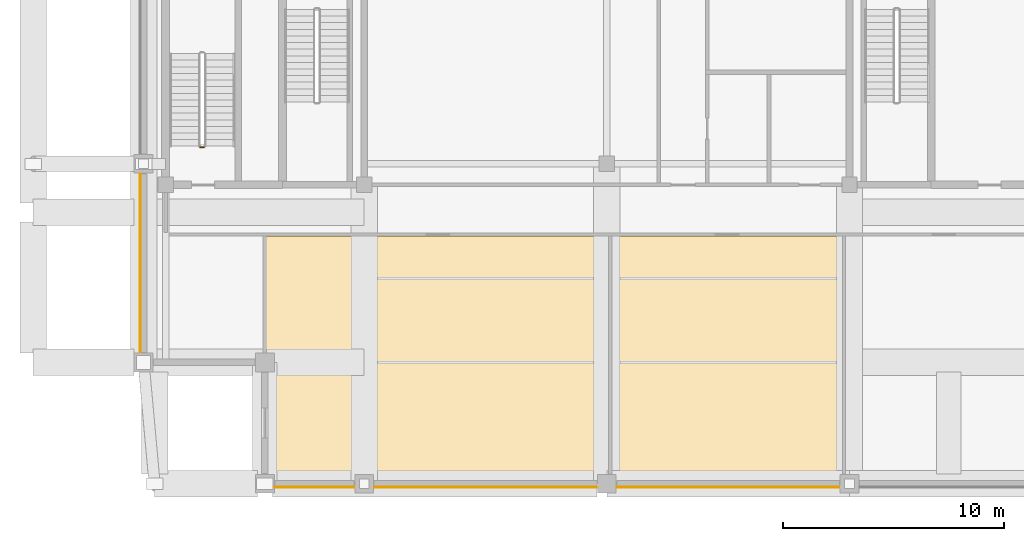
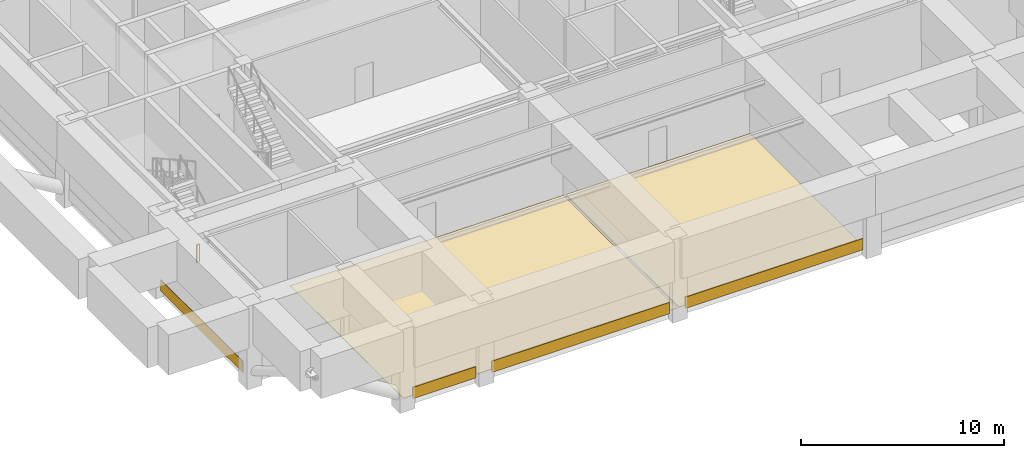
# One storey, part 6 of 11: 6 coverings, 1 railing.
"""IFC4 building model written with IfcOpenShell, lengths in metres."""

from ifc_helpers import new_model, si_unit, direction, frame, frame_2d, origin, origin_2d, place, context, subcontext, project, spatial, polyline, rectangle, outline, extrude, material, layer, layer_set, type_object, element, save


model = new_model("IFC4")

# Units and contexts
model_context = context("Model", 3, precision=1e-05, world=origin(), true_north=direction((0.0, 1.0)))
body_context = subcontext(model_context, "Body", "Model", "MODEL_VIEW")
ifc_project = project(units=[si_unit("LENGTHUNIT", "METRE"), si_unit("AREAUNIT", "SQUARE_METRE"), si_unit("VOLUMEUNIT", "CUBIC_METRE"), si_unit("PLANEANGLEUNIT", "RADIAN"), si_unit("MASSUNIT", "GRAM", prefix="KILO")], contexts=[model_context])

# Site, building, storey
site_placement = place(None, origin())
site = spatial("IfcSite", under=ifc_project, at=site_placement, CompositionType="ELEMENT")
building_placement = place(site_placement, origin())
building = spatial("IfcBuilding", under=site, at=building_placement, Name="Zulmaris Gate Convention Tower", CompositionType="ELEMENT")
storey_placement = place(building_placement, frame((0.0, 0.0, 249.429931640625)))
storey = spatial("IfcBuildingStorey", under=building, at=storey_placement, Name="L66", CompositionType="ELEMENT", Elevation=249.429931640625)

# Coverings
ifc_material_1 = material(Name="Precast concrete C40/50", Category="concrete")
ifc_layer_1 = layer(ifc_material_1, 0.0400390625, Name="Precast concrete C40/50")
ifc_layer_set_1 = layer_set([ifc_layer_1], Name="Precast concrete C40/50")
covering_type_1 = type_object("IfcCoveringType", Name="CLAD-SPANDREL-PRECAST", PredefinedType="CLADDING", material=ifc_layer_set_1)
covering_1_placement = place(storey_placement, frame((-15.044921875, -23.64990234375, 0.0), z_axis=(0.0, 0.0, 1.0), x_axis=(1.0, 0.0, 0.0)))
element("IfcCovering", 1, at=covering_1_placement, inside=storey, type_object=covering_type_1, Name="CLD-L66-S-0_0", PredefinedType="CLADDING", context=body_context, shape_type="SweptSolid", body=[
    extrude(rectangle(XDim=3.58984375, YDim=0.0400390625, at=frame_2d((1.794921875, 0.0))), origin(), (0.0, 0.0, 1.0), 0.679931640625),
])
for number, where, z_axis, x_axis, name in (
    (2, (-10.544921875, -23.64990234375, 0.0), (0.0, 0.0, 1.0), (1.0, 0.0, 0.0), "CLD-L66-S-1_0"),
    (3, (0.455078125, -23.64990234375, 0.0), (0.0, 0.0, 1.0), (1.0, 0.0, 0.0), "CLD-L66-S-2_0"),
):
    element("IfcCovering", number, at=place(storey_placement, frame(where, z_axis=z_axis, x_axis=x_axis)), inside=storey, type_object=covering_type_1, Name=name, PredefinedType="CLADDING", context=body_context, shape_type="SweptSolid", body=[
        extrude(rectangle(XDim=10.08984375, YDim=0.0400390625, at=frame_2d((5.044921875, 0.0))), origin(), (0.0, 0.0, 1.0), 0.679931640625),
    ])
covering_2_placement = place(storey_placement, frame((-21.14990234375, -9.455078125, 0.0), z_axis=(0.0, 0.0, 1.0), x_axis=(0.0, -1.0, 0.0)))
element("IfcCovering", 4, at=covering_2_placement, inside=storey, type_object=covering_type_1, Name="CLD-L66-W-0_0", PredefinedType="CLADDING", context=body_context, shape_type="SweptSolid", body=[
    extrude(rectangle(XDim=8.08984375, YDim=0.0400390625, at=frame_2d((4.044921875, 0.0))), origin(), (0.0, 0.0, 1.0), 0.679931640625),
])
ifc_material_2 = material(Name="Woven Acoustic Wool Carpet Tile")
ifc_layer_2 = layer(ifc_material_2, 0.02001953125, Name="Woven Acoustic Wool Carpet Tile")
ifc_layer_set_2 = layer_set([ifc_layer_2], Name="Woven Acoustic Wool Carpet Tile")
covering_type_2 = type_object("IfcCoveringType", Name="FLR-CARPET-12", PredefinedType="FLOORING", material=ifc_layer_set_2)
covering_3_placement = place(storey_placement, origin())
element("IfcCovering", 5, at=covering_3_placement, inside=storey, type_object=covering_type_2, Name="FLR-L66-R32", PredefinedType="FLOORING", context=body_context, shape_type="SweptSolid", body=[
    extrude(outline(polyline([(0.2099609375, -23.43994140625), (10.68994140625, -23.43994140625), (10.68994140625, -12.260009765625), (0.2099609375, -12.260009765625), (0.2099609375, -23.43994140625)])), origin(), (0.0, 0.0, 1.0), 0.02001953125),
])
ifc_material_3 = material(Name="Engineered Teak Parquet Flooring")
ifc_layer_3 = layer(ifc_material_3, 0.02001953125, Name="Engineered Teak Parquet Flooring")
ifc_layer_set_3 = layer_set([ifc_layer_3], Name="Engineered Teak Parquet Flooring")
covering_type_3 = type_object("IfcCoveringType", Name="FLR-TIMBER-18", PredefinedType="FLOORING", material=ifc_layer_set_3)
covering_4_placement = place(storey_placement, origin())
element("IfcCovering", 6, at=covering_4_placement, inside=storey, type_object=covering_type_3, Name="FLR-L66-R31", PredefinedType="FLOORING", context=body_context, shape_type="SweptSolid", body=[
    extrude(outline(polyline([(-15.43994140625, -23.43994140625), (0.090087890625, -23.43994140625), (0.090087890625, -12.260009765625), (-15.43994140625, -12.260009765625), (-15.43994140625, -23.43994140625)])), origin(), (0.0, 0.0, 1.0), 0.02001953125),
])

# Railing
ifc_material_4 = material(Name="Painted Galvanised Steel", Category="steel")
railing_type = type_object("IfcRailingType", Name="RL-STG-1150", PredefinedType="GUARDRAIL", material=ifc_material_4)
railing_placement = place(storey_placement, frame((-18.260009765625, -8.25, 0.0)))
element("IfcRailing", 7, at=railing_placement, inside=storey, type_object=railing_type, Name="L66 ST-3 stair guard 4", PredefinedType="GUARDRAIL", context=body_context, shape_type="SweptSolid", body=[
    extrude(rectangle(XDim=0.048095703125, YDim=0.048095703125, at=origin_2d()), frame((0.0, 0.0, 1.076171875), z_axis=(-1.0, 0.0, 0.0), x_axis=(0.0, -1.0, 0.0)), (0.0, 0.0, 1.0), 0.159912109375),
    extrude(rectangle(XDim=0.0419921875, YDim=0.0419921875, at=origin_2d()), origin(), (0.0, 0.0, 1.0), 1.052001953125),
    extrude(rectangle(XDim=0.0419921875, YDim=0.0419921875, at=origin_2d()), frame((-0.159912109375, 0.0, 0.0)), (0.0, 0.0, 1.0), 1.052001953125),
])

save(model, "model.ifc")
